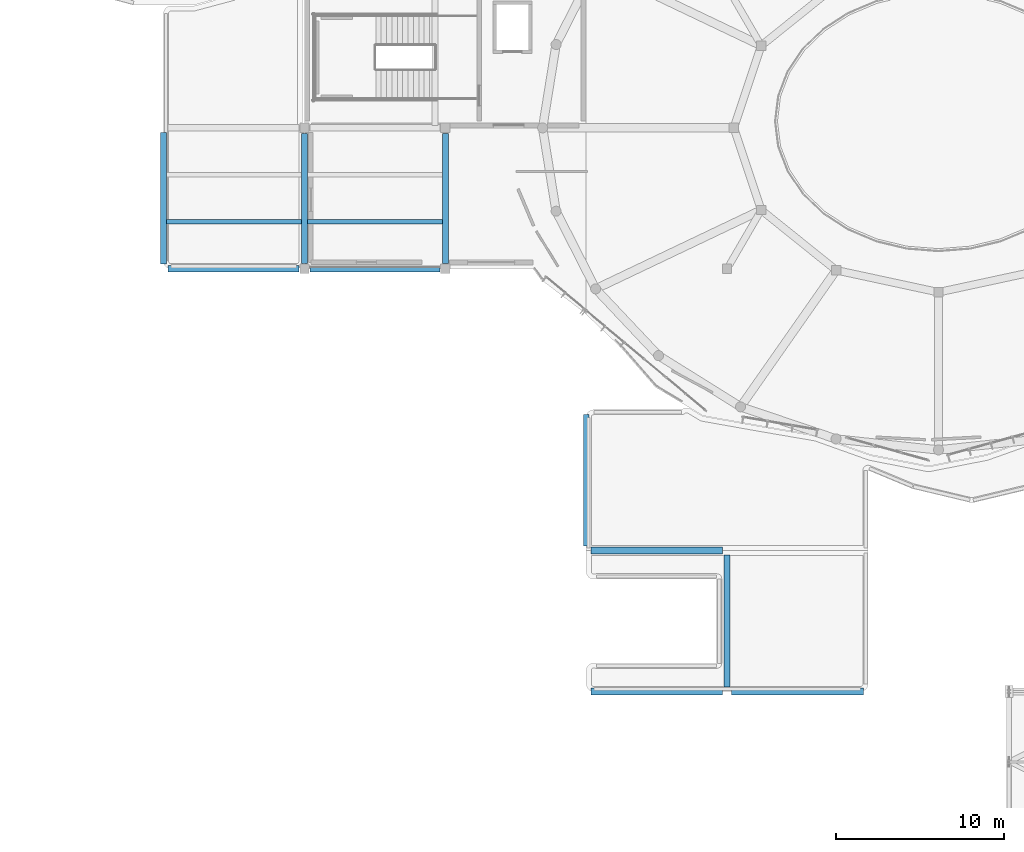
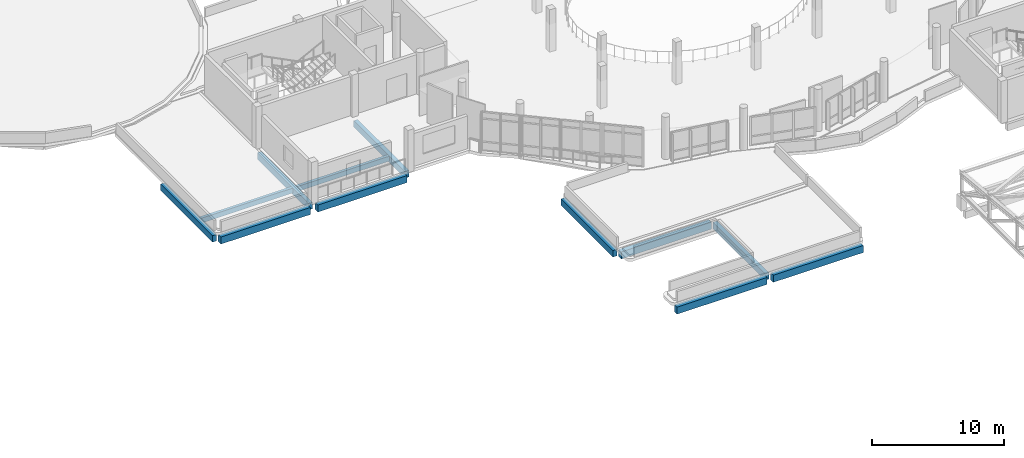
# One storey, part 5 of 74: 12 beams.
"""IFC4 building model written with IfcOpenShell, lengths in metres."""

from ifc_helpers import new_model, si_unit, derived_unit, direction, frame, origin, origin_2d, place, context, subcontext, project, spatial, rectangle, extrude, material, material_profile, profile_set, type_object, element, save


model = new_model("IFC4")

# Units and contexts
model_context = context("Model", 3, precision=1e-05, world=origin(), true_north=direction((0.0, 1.0)))
body_context = subcontext(model_context, "Body", "Model", "MODEL_VIEW")
ifc_project = project(units=[si_unit("LENGTHUNIT", "METRE"), si_unit("AREAUNIT", "SQUARE_METRE"), si_unit("VOLUMEUNIT", "CUBIC_METRE"), si_unit("PLANEANGLEUNIT", "RADIAN"), si_unit("MASSUNIT", "GRAM", prefix="KILO"), derived_unit("THERMALTRANSMITTANCEUNIT", [(si_unit("POWERUNIT", "WATT"), 1), (si_unit("LENGTHUNIT", "METRE"), -2), (si_unit("THERMODYNAMICTEMPERATUREUNIT", "KELVIN"), -1)])], contexts=[model_context])

# Site, building, storey
site_placement = place(None, origin())
site = spatial("IfcSite", under=ifc_project, at=site_placement, CompositionType="ELEMENT")
building_placement = place(site_placement, origin())
building = spatial("IfcBuilding", under=site, at=building_placement, Name="Elbkamm Science Centre", CompositionType="ELEMENT")
storey_placement = place(building_placement, frame((0.0, 0.0, 14.39990234375)))
storey = spatial("IfcBuildingStorey", under=building, at=storey_placement, Name="L03", CompositionType="ELEMENT", Elevation=14.39990234375)

# Beams
ifc_material = material(Name="Concrete C40/50", Category="concrete")
ifc_material_profile_1 = material_profile(ifc_material, rectangle(XDim=0.35009765625, YDim=0.60009765625, at=origin_2d()), Name="RC 350x600")
ifc_profile_set_1 = profile_set([ifc_material_profile_1], Name="Concrete C40/50")
beam_type_1 = type_object("IfcBeamType", Name="BM-RC-350x600", PredefinedType="BEAM", material=ifc_profile_set_1)
for number, where, z_axis, x_axis, name in (
    (1, (25.199951171875, 59.125, -0.579833984375), (0.0, 1.0, 0.0), (-1.0, 0.0, 0.0), "L03 Primary Y-Girder 001"),
    (2, (33.60009765625, 59.125, -0.579833984375), (0.0, 1.0, 0.0), (-1.0, 0.0, 0.0), "L03 Primary Y-Girder 002"),
):
    element("IfcBeam", number, at=place(storey_placement, frame(where, z_axis=z_axis, x_axis=x_axis)), inside=storey, type_object=beam_type_1, Name=name, PredefinedType="BEAM", context=body_context, shape_type="SweptSolid", body=[
        extrude(rectangle(XDim=0.35009765625, YDim=0.60009765625, at=origin_2d()), origin(), (0.0, 0.0, 1.0), 7.75),
    ])
for number, where, z_axis, x_axis, name in (
    (3, (16.800048828125, 59.074951171875, -0.56982421875), (0.0, 1.0, 0.0), (-1.0, 0.0, 0.0), "L03 Step-Back Primary Y-Girder 001"),
    (4, (42.0, 42.27490234375, -0.56982421875), (0.0, 1.0, 0.0), (-1.0, 0.0, 0.0), "L03 Step-Back Primary Y-Girder 003"),
    (5, (50.39990234375, 33.875, -0.56982421875), (0.0, 1.0, 0.0), (-1.0, 0.0, 0.0), "L03 Step-Back Primary Y-Girder 004"),
):
    element("IfcBeam", number, at=place(storey_placement, frame(where, z_axis=z_axis, x_axis=x_axis)), inside=storey, type_object=beam_type_1, Name=name, PredefinedType="BEAM", context=body_context, shape_type="SweptSolid", body=[
        extrude(rectangle(XDim=0.35009765625, YDim=0.60009765625, at=origin_2d()), origin(), (0.0, 0.0, 1.0), 7.85009765625),
    ])
ifc_material_profile_2 = material_profile(ifc_material, rectangle(XDim=0.39990234375, YDim=0.64990234375, at=origin_2d()), Name="RC 400x650")
ifc_profile_set_2 = profile_set([ifc_material_profile_2], Name="Concrete C40/50")
beam_type_2 = type_object("IfcBeamType", Name="BM-RC-400x650", PredefinedType="BEAM", material=ifc_profile_set_2)
beam_1_placement = place(storey_placement, frame((25.52490234375, 58.800048828125, -0.60498046875), z_axis=(1.0, 0.0, 0.0), x_axis=(0.0, 1.0, 0.0)))
element("IfcBeam", 6, at=beam_1_placement, inside=storey, type_object=beam_type_2, Name="L03 Primary X-Girder 024", PredefinedType="BEAM", context=body_context, shape_type="SweptSolid", body=[
    extrude(rectangle(XDim=0.39990234375, YDim=0.64990234375, at=origin_2d()), origin(), (0.0, 0.0, 1.0), 7.75),
])
beam_2_placement = place(storey_placement, frame((42.27490234375, 33.60009765625, -0.594970703125), z_axis=(1.0, 0.0, 0.0), x_axis=(0.0, 1.0, 0.0)))
element("IfcBeam", 7, at=beam_2_placement, inside=storey, type_object=beam_type_2, Name="L03 Step-Back Primary X-Girder 001", PredefinedType="BEAM", context=body_context, shape_type="SweptSolid", body=[
    extrude(rectangle(XDim=0.39990234375, YDim=0.64990234375, at=origin_2d()), origin(), (0.0, 0.0, 1.0), 7.85009765625),
])
beam_3_placement = place(storey_placement, frame((50.675048828125, 33.60009765625, -0.594970703125), z_axis=(1.0, 0.0, 0.0), x_axis=(0.0, 1.0, 0.0)))
element("IfcBeam", 8, at=beam_3_placement, inside=storey, type_object=beam_type_2, Name="L03 Step-Back Primary X-Girder 002", PredefinedType="BEAM", context=body_context, shape_type="SweptSolid", body=[
    extrude(rectangle(XDim=0.39990234375, YDim=0.64990234375, at=origin_2d()), origin(), (0.0, 0.0, 1.0), 7.849853515625),
])
beam_4_placement = place(storey_placement, frame((42.27490234375, 42.0, -0.594970703125), z_axis=(1.0, 0.0, 0.0), x_axis=(0.0, 1.0, 0.0)))
element("IfcBeam", 9, at=beam_4_placement, inside=storey, type_object=beam_type_2, Name="L03 Step-Back Primary X-Girder 003", PredefinedType="BEAM", context=body_context, shape_type="SweptSolid", body=[
    extrude(rectangle(XDim=0.39990234375, YDim=0.64990234375, at=origin_2d()), origin(), (0.0, 0.0, 1.0), 7.85009765625),
])
beam_5_placement = place(storey_placement, frame((17.074951171875, 58.800048828125, -0.594970703125), z_axis=(1.0, 0.0, 0.0), x_axis=(0.0, 1.0, 0.0)))
element("IfcBeam", 10, at=beam_5_placement, inside=storey, type_object=beam_type_2, Name="L03 Step-Back Primary X-Girder 004", PredefinedType="BEAM", context=body_context, shape_type="SweptSolid", body=[
    extrude(rectangle(XDim=0.39990234375, YDim=0.64990234375, at=origin_2d()), origin(), (0.0, 0.0, 1.0), 7.800048828125),
])
ifc_material_profile_3 = material_profile(ifc_material, rectangle(XDim=0.25, YDim=0.449951171875, at=origin_2d()), Name="RC 250x450")
ifc_profile_set_3 = profile_set([ifc_material_profile_3], Name="Concrete C40/50")
beam_type_3 = type_object("IfcBeamType", Name="JST-RC-250x450", PredefinedType="JOIST", material=ifc_profile_set_3)
for number, where, z_axis, x_axis, name in (
    (11, (25.3798828125, 61.60009765625, -0.5048828125), (1.0, 0.0, 0.0), (0.0, 1.0, 0.0), "L03 Secondary Floor Joist 001"),
    (12, (16.97998046875, 61.60009765625, -0.494873046875), (1.0, 0.0, 0.0), (0.0, 1.0, 0.0), "L03 Step-Back Secondary Floor Joist 001"),
):
    element("IfcBeam", number, at=place(storey_placement, frame(where, z_axis=z_axis, x_axis=x_axis)), inside=storey, type_object=beam_type_3, Name=name, PredefinedType="JOIST", context=body_context, shape_type="SweptSolid", body=[
        extrude(rectangle(XDim=0.25, YDim=0.449951171875, at=origin_2d()), origin(), (0.0, 0.0, 1.0), 8.0400390625),
    ])

save(model, "model.ifc")
